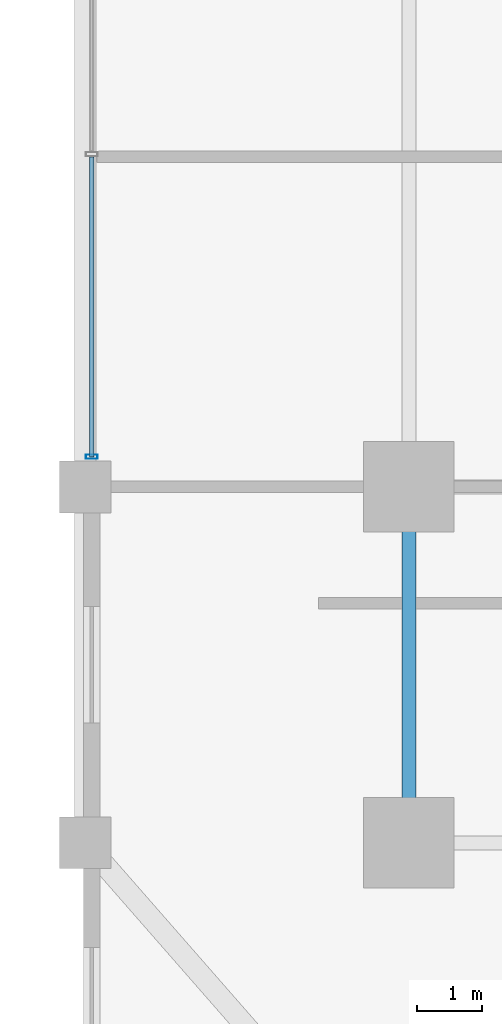
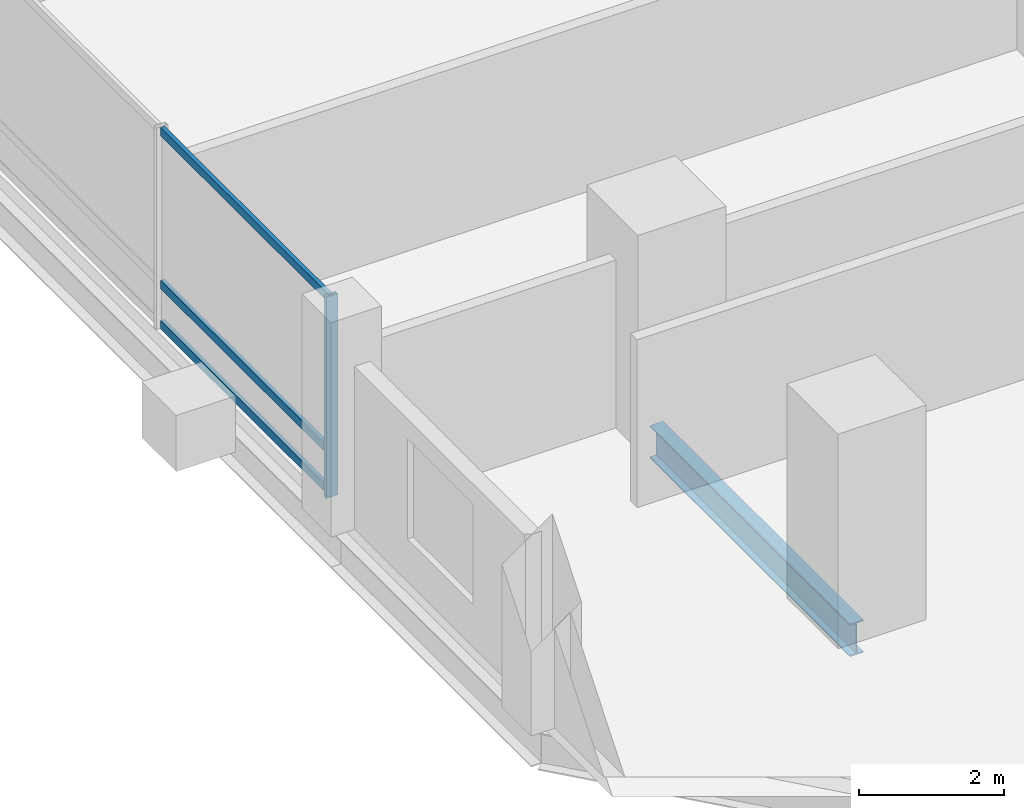
# One storey, part 4 of 21: 4 members, 1 beam, 1 element without a shape of its own.
"""IFC4 building model written with IfcOpenShell, lengths in metres."""

from ifc_helpers import new_model, si_unit, direction, frame, origin, origin_2d, place, context, subcontext, project, spatial, hollow_rectangle, i_section, extrude, material, layer, layer_set, material_profile, profile_set, type_object, element, aggregate, save


model = new_model("IFC4")

# Units and contexts
model_context = context("Model", 3, precision=1e-05, world=origin(), true_north=direction((0.0, 1.0)))
body_context = subcontext(model_context, "Body", "Model", "MODEL_VIEW")
ifc_project = project(units=[si_unit("LENGTHUNIT", "METRE"), si_unit("AREAUNIT", "SQUARE_METRE"), si_unit("VOLUMEUNIT", "CUBIC_METRE"), si_unit("PLANEANGLEUNIT", "RADIAN"), si_unit("MASSUNIT", "GRAM", prefix="KILO")], contexts=[model_context])

# Site, building, storey
site_placement = place(None, origin())
site = spatial("IfcSite", under=ifc_project, at=site_placement, CompositionType="ELEMENT")
building_placement = place(site_placement, origin())
building = spatial("IfcBuilding", under=site, at=building_placement, Name="Barlavira Tower and Art Museum", CompositionType="ELEMENT")
storey_placement = place(building_placement, frame((0.0, 0.0, 86.39990234375)))
storey = spatial("IfcBuildingStorey", under=building, at=storey_placement, Name="L21", CompositionType="ELEMENT", Elevation=86.39990234375)

# Curtain wall, members
ifc_material_1 = material(Name="Low-iron coastal laminated glass", Category="glass")
ifc_layer = layer(ifc_material_1, 0.179931640625, Name="Low-iron coastal laminated glass")
ifc_layer_set = layer_set([ifc_layer], Name="Low-iron coastal laminated glass")
curtain_wall_type = type_object("IfcCurtainWallType", Name="Pale-Metal Unitised Curtain Wall Zone 1", PredefinedType="NOTDEFINED", material=ifc_layer_set)
curtain_wall_placement = place(storey_placement, origin())
curtain_wall = element("IfcCurtainWall", 1, at=curtain_wall_placement, inside=storey, type_object=curtain_wall_type, Name="L21 Curtain Wall CW1-L21-W-B3", PredefinedType="NOTDEFINED")
ifc_material_2 = material(Name="Pale anodised aluminium", Category="aluminium")
ifc_material_profile_1 = material_profile(ifc_material_2, hollow_rectangle(XDim=0.06494140625, YDim=0.179931640625, WallThickness=0.00390625, at=origin_2d()), Name="ALU-MULL 65x180x4")
ifc_profile_set_1 = profile_set([ifc_material_profile_1], Name="Pale anodised aluminium")
member_type_1 = type_object("IfcMemberType", Name="Curtain Wall Pale-Metal Mullion 65x180", PredefinedType="MULLION", material=ifc_profile_set_1)
member_1_placement = place(storey_placement, frame((-21.89990234375, -7.034912109375, 0.0), z_axis=(0.0, 0.0, 1.0), x_axis=(0.0, -1.0, 0.0)))
member_1 = element("IfcMember", 2, at=member_1_placement, type_object=member_type_1, Name="CW1-L21-W-B3 Mullion 3", PredefinedType="MULLION", context=body_context, shape_type="SweptSolid", body=[
    extrude(hollow_rectangle(XDim=0.06494140625, YDim=0.179931640625, WallThickness=0.00390625, at=origin_2d()), origin(), (0.0, 0.0, 1.0), 3.380126953125),
])
ifc_material_profile_2 = material_profile(ifc_material_2, hollow_rectangle(XDim=0.06494140625, YDim=0.139892578125, WallThickness=0.00390625, at=origin_2d()), Name="ALU-TRAN 65x140x4")
ifc_profile_set_2 = profile_set([ifc_material_profile_2], Name="Pale anodised aluminium")
member_type_2 = type_object("IfcMemberType", Name="Curtain Wall Pale-Metal Transom 65x140", PredefinedType="USERDEFINED", material=ifc_profile_set_2)
member_2_placement = place(storey_placement, frame((-21.89990234375, -2.405029296875, 0.070068359375), z_axis=(0.0, -1.0, 0.0), x_axis=(1.0, 0.0, 0.0)))
member_2 = element("IfcMember", 3, at=member_2_placement, type_object=member_type_2, Name="CW1-L21-W-B3 Transom 2.1", ObjectType="TRANSOM", PredefinedType="USERDEFINED", context=body_context, shape_type="SweptSolid", body=[
    extrude(hollow_rectangle(XDim=0.06494140625, YDim=0.139892578125, WallThickness=0.00390625, at=origin_2d()), origin(), (0.0, 0.0, 1.0), 4.6298828125),
])
member_3_placement = place(storey_placement, frame((-21.89990234375, -2.405029296875, 0.744140625), z_axis=(0.0, -1.0, 0.0), x_axis=(1.0, 0.0, 0.0)))
member_3 = element("IfcMember", 4, at=member_3_placement, type_object=member_type_2, Name="CW1-L21-W-B3 Transom 2.2", ObjectType="TRANSOM", PredefinedType="USERDEFINED", context=body_context, shape_type="SweptSolid", body=[
    extrude(hollow_rectangle(XDim=0.06494140625, YDim=0.139892578125, WallThickness=0.00390625, at=origin_2d()), origin(), (0.0, 0.0, 1.0), 4.6298828125),
])
member_4_placement = place(storey_placement, frame((-21.89990234375, -2.405029296875, 3.31005859375), z_axis=(0.0, -1.0, 0.0), x_axis=(1.0, 0.0, 0.0)))
member_4 = element("IfcMember", 5, at=member_4_placement, type_object=member_type_2, Name="CW1-L21-W-B3 Transom 2.3", ObjectType="TRANSOM", PredefinedType="USERDEFINED", context=body_context, shape_type="SweptSolid", body=[
    extrude(hollow_rectangle(XDim=0.06494140625, YDim=0.139892578125, WallThickness=0.00390625, at=origin_2d()), origin(), (0.0, 0.0, 1.0), 4.6298828125),
])
aggregate(curtain_wall, [member_1, member_2, member_3, member_4])

# Beam
ifc_material_3 = material(Name="Steel S355", Category="steel")
ifc_material_profile_3 = material_profile(ifc_material_3, i_section(OverallWidth=0.214111328125, OverallDepth=0.549072265625, WebThickness=0.0146484375, FlangeThickness=0.023681640625, at=origin_2d()), Name="W530x138.0")
ifc_profile_set_3 = profile_set([ifc_material_profile_3], Name="Steel S355")
beam_type = type_object("IfcBeamType", Name="Zone 1 Primary Floor Girder W530x138 Steel S355", PredefinedType="BEAM", material=ifc_profile_set_3)
beam_placement = place(storey_placement, frame((-17.0, -13.0, -0.494384765625), z_axis=(0.0, 1.0, 0.0), x_axis=(-1.0, 0.0, 0.0)))
element("IfcBeam", 6, at=beam_placement, inside=storey, type_object=beam_type, Name="L21 Girder M-W1", PredefinedType="BEAM", context=body_context, shape_type="SweptSolid", body=[
    extrude(i_section(OverallWidth=0.214111328125, OverallDepth=0.549072265625, WebThickness=0.0146484375, FlangeThickness=0.023681640625, at=origin_2d()), origin(), (0.0, 0.0, 1.0), 5.5),
])

save(model, "model.ifc")
